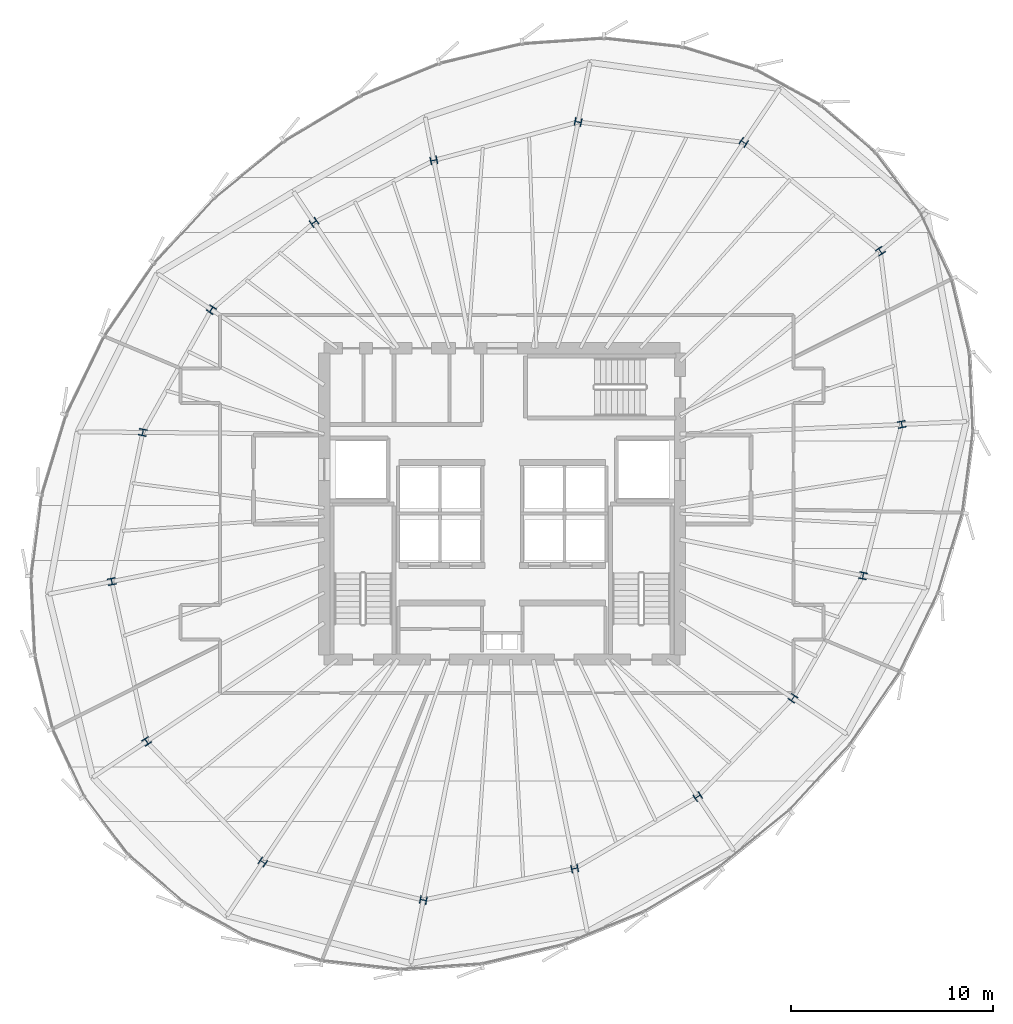
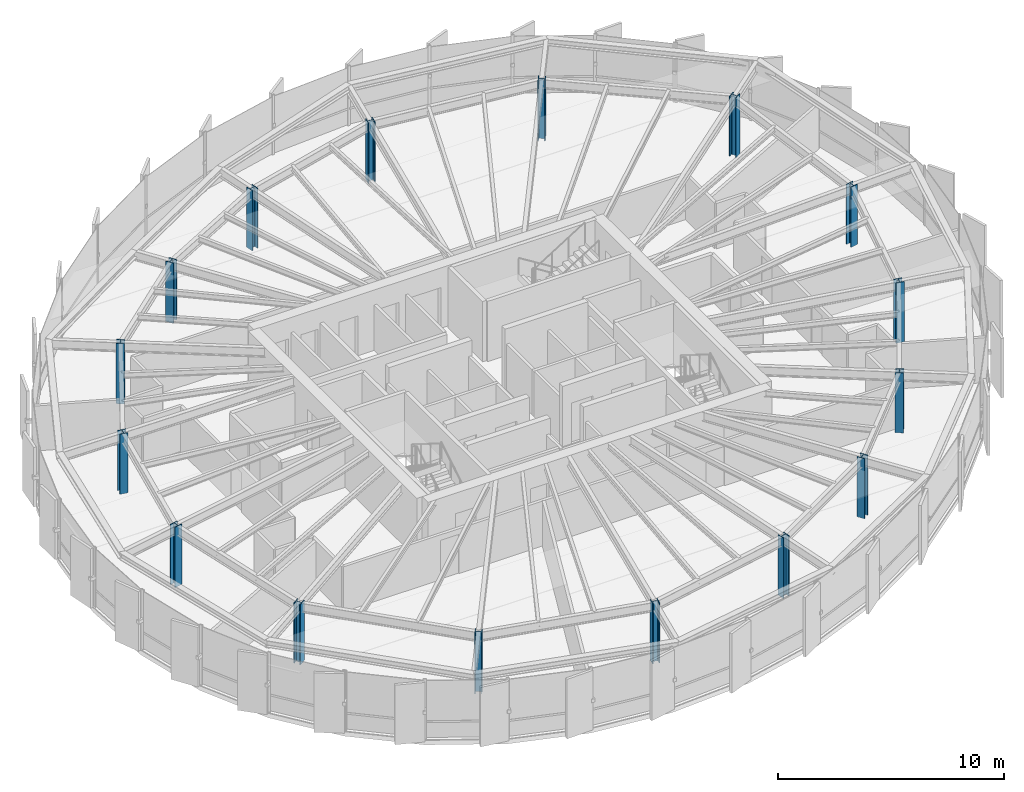
# One storey, part 1 of 34: 16 columns.
"""IFC4 building model written with IfcOpenShell, lengths in metres."""

from ifc_helpers import new_model, si_unit, direction, frame, origin, origin_2d, place, context, subcontext, project, spatial, i_section, extrude, source, transform, mapped, material, material_profile, profile_set, type_object, element, save


model = new_model("IFC4")

# Units and contexts
model_context = context("Model", 3, precision=1e-05, world=origin(), true_north=direction((0.0, 1.0)))
body_context = subcontext(model_context, "Body", "Model", "MODEL_VIEW")
ifc_project = project(units=[si_unit("LENGTHUNIT", "METRE"), si_unit("AREAUNIT", "SQUARE_METRE"), si_unit("VOLUMEUNIT", "CUBIC_METRE"), si_unit("PLANEANGLEUNIT", "RADIAN"), si_unit("MASSUNIT", "GRAM", prefix="KILO"), si_unit("THERMODYNAMICTEMPERATUREUNIT", "KELVIN")], contexts=[model_context])

# Site, building, storey
site_placement = place(None, origin())
site = spatial("IfcSite", under=ifc_project, at=site_placement, CompositionType="ELEMENT")
building_placement = place(site_placement, origin())
building = spatial("IfcBuilding", under=site, at=building_placement, Name="Kethvar Cultural Tower", CompositionType="ELEMENT")
storey_placement = place(building_placement, frame((0.0, 0.0, 207.89990234375)))
storey = spatial("IfcBuildingStorey", under=building, at=storey_placement, Name="L54", CompositionType="ELEMENT", Elevation=207.89990234375)

# Columns
ifc_material = material(Name="Steel S460M", Category="steel")
ifc_material_profile = material_profile(ifc_material, i_section(OverallWidth=0.39111328125, OverallDepth=0.3349609375, WebThickness=0.022705078125, FlangeThickness=0.033935546875, FilletRadius=0.014892578125, at=origin_2d()), Name="Steel S460M — HD400x463")
ifc_profile_set = profile_set([ifc_material_profile], Name="Steel S460M — HD400x463")
column_type = type_object("IfcColumnType", Name="COL-HD463", PredefinedType="COLUMN", material=ifc_profile_set)
shared_shape = source(origin(), body_context, "Body", "SweptSolid", [
    extrude(i_section(OverallWidth=0.39111328125, OverallDepth=0.3349609375, WebThickness=0.022705078125, FlangeThickness=0.033935546875, FilletRadius=0.014892578125, at=origin_2d()), origin(), (0.0, 0.0, 1.0), 3.260009765625),
])
for number, where, z_axis, x_axis, name in (
    (1, (66.56396484375, 31.731201171875, 0.0), (0.0, 0.0, 1.0), (0.980785280403, 0.195090322016, 0.0), "L54 Mega-Column MC-01"),
    (2, (65.504150390625, 40.297607421875, 0.0), (0.0, 0.0, 1.0), (0.831469612303, 0.55557023302, 0.0), "L54 Mega-Column MC-02"),
    (3, (58.748046875, 45.681396484375, 0.0), (0.0, 0.0, 1.0), (0.55557023302, 0.831469612303, 0.0), "L54 Mega-Column MC-03"),
    (4, (50.556884765625, 46.6875, 0.0), (0.0, 0.0, 1.0), (0.195090322016, 0.980785280403, 0.0), "L54 Mega-Column MC-04"),
    (5, (43.420654296875, 44.789306640625, 0.0), (0.0, 0.0, 1.0), (-0.195090322016, 0.980785280403, 0.0), "L54 Mega-Column MC-05"),
    (6, (37.498779296875, 41.720458984375, 0.0), (0.0, 0.0, 1.0), (-0.55557023302, 0.831469612303, 0.0), "L54 Mega-Column MC-06"),
    (7, (32.418212890625, 37.409423828125, 0.0), (0.0, 0.0, 1.0), (-0.831469612303, 0.55557023302, 0.0), "L54 Mega-Column MC-07"),
    (8, (29.02490234375, 31.335693359375, 0.0), (0.0, 0.0, 1.0), (-0.980785280403, 0.195090322016, 0.0), "L54 Mega-Column MC-08"),
    (9, (27.492919921875, 23.959716796875, 0.0), (0.0, 0.0, 1.0), (-0.980785280403, -0.195090322016, 0.0), "L54 Mega-Column MC-09"),
    (10, (29.217529296875, 16.0517578125, 0.0), (0.0, 0.0, 1.0), (-0.831469612303, -0.55557023302, 0.0), "L54 Mega-Column MC-10"),
    (11, (34.962646484375, 10.084228515625, 0.0), (0.0, 0.0, 1.0), (-0.55557023302, -0.831469612303, 0.0), "L54 Mega-Column MC-11"),
    (12, (42.903564453125, 8.2109375, 0.0), (0.0, 0.0, 1.0), (-0.195090322016, -0.980785280403, 0.0), "L54 Mega-Column MC-12"),
    (13, (50.38671875, 9.7685546875, 0.0), (0.0, 0.0, 1.0), (0.195090322016, -0.980785280403, 0.0), "L54 Mega-Column MC-13"),
    (14, (56.474609375, 13.32080078125, 0.0), (0.0, 0.0, 1.0), (0.55557023302, -0.831469612303, 0.0), "L54 Mega-Column MC-14"),
    (15, (61.1826171875, 18.18994140625, 0.0), (0.0, 0.0, 1.0), (0.831469612303, -0.55557023302, 0.0), "L54 Mega-Column MC-15"),
    (16, (64.648681640625, 24.249755859375, 0.0), (0.0, 0.0, 1.0), (0.980785280403, -0.195090322016, 0.0), "L54 Mega-Column MC-16"),
):
    element("IfcColumn", number, at=place(storey_placement, frame(where, z_axis=z_axis, x_axis=x_axis)), inside=storey, type_object=column_type, Name=name, PredefinedType="COLUMN", context=body_context, shape_type="MappedRepresentation", body=[
        mapped(shared_shape, transform((0.0, 0.0, 0.0), scale=1.0)),
    ])

save(model, "model.ifc")
